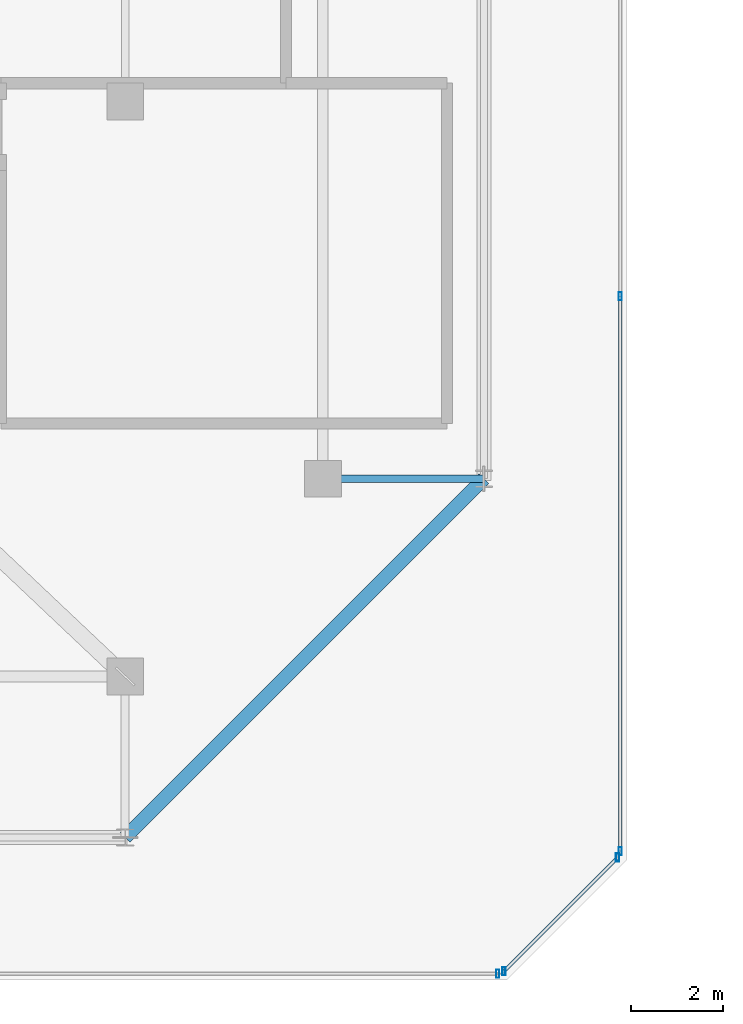
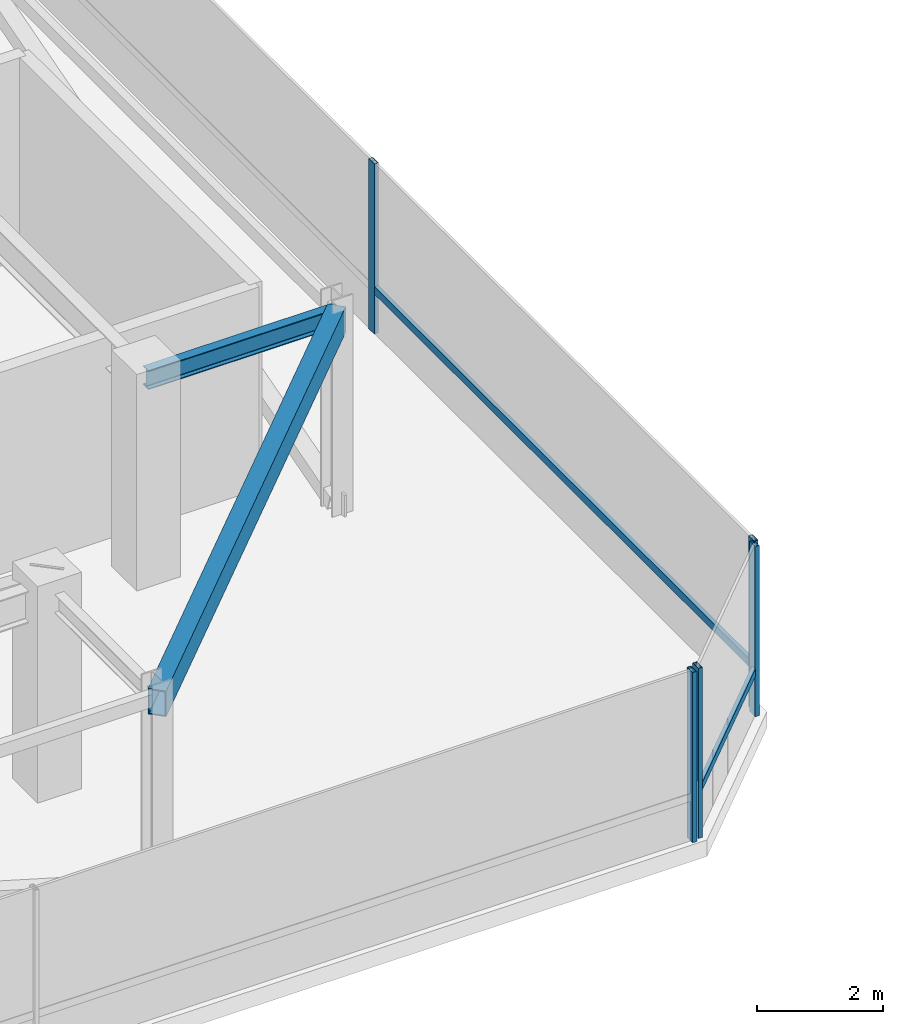
# One storey, part 14 of 47: 7 members, 2 beams, 3 elements without a shape of their own.
"""IFC4 building model written with IfcOpenShell, lengths in metres."""

from ifc_helpers import new_model, si_unit, direction, frame, origin, origin_2d, place, context, subcontext, project, spatial, hollow_rectangle, i_section, extrude, material, material_profile, profile_set, type_object, element, aggregate, save


model = new_model("IFC4")

# Units and contexts
model_context = context("Model", 3, precision=1e-05, world=origin(), true_north=direction((0.0, 1.0)))
body_context = subcontext(model_context, "Body", "Model", "MODEL_VIEW")
ifc_project = project(units=[si_unit("LENGTHUNIT", "METRE"), si_unit("AREAUNIT", "SQUARE_METRE"), si_unit("VOLUMEUNIT", "CUBIC_METRE"), si_unit("PLANEANGLEUNIT", "RADIAN"), si_unit("MASSUNIT", "GRAM", prefix="KILO")], contexts=[model_context])

# Site, building, storey
site_placement = place(None, origin())
site = spatial("IfcSite", under=ifc_project, at=site_placement, CompositionType="ELEMENT")
building_placement = place(site_placement, origin())
building = spatial("IfcBuilding", under=site, at=building_placement, Name="Thornwick Lancets Civic Towers", CompositionType="ELEMENT")
storey_placement = place(building_placement, frame((0.0, 0.0, 279.89990234375)))
storey = spatial("IfcBuildingStorey", under=building, at=storey_placement, Name="C01", CompositionType="ELEMENT", Elevation=279.89990234375)

# Beams
ifc_material_1 = material(Name="Steel S355JR", Category="steel")
ifc_material_profile_1 = material_profile(ifc_material_1, i_section(OverallWidth=0.173095703125, OverallDepth=0.36328125, WebThickness=0.009033203125, FlangeThickness=0.015625, FilletRadius=0.01025390625, at=origin_2d()), Name="UKB 356x171x67")
ifc_profile_set_1 = profile_set([ifc_material_profile_1], Name="Steel S355JR")
beam_type_1 = type_object("IfcBeamType", Name="BM_JOIST_356_67", PredefinedType="JOIST", material=ifc_profile_set_1)
beam_1_placement = place(storey_placement, frame((42.800048828125, 14.0, 3.75830078125), z_axis=(1.0, 0.0, 0.0), x_axis=(0.0, 1.0, 0.0)))
element("IfcBeam", 1, at=beam_1_placement, inside=storey, type_object=beam_type_1, Name="BM-RAD-C01-A04", PredefinedType="JOIST", context=body_context, shape_type="SweptSolid", body=[
    extrude(i_section(OverallWidth=0.173095703125, OverallDepth=0.36328125, WebThickness=0.009033203125, FlangeThickness=0.015625, FilletRadius=0.01025390625, at=origin_2d()), origin(), (0.0, 0.0, 1.0), 3.5),
])
ifc_material_2 = material(Name="Steel S460M", Category="steel")
ifc_material_profile_2 = material_profile(ifc_material_2, hollow_rectangle(XDim=0.300048828125, YDim=0.5, WallThickness=0.02001953125, at=origin_2d()), Name="RHS 500x300x20")
ifc_profile_set_2 = profile_set([ifc_material_profile_2], Name="Steel S460M")
beam_type_2 = type_object("IfcBeamType", Name="BM_RING_RHS500", PredefinedType="BEAM", material=ifc_profile_set_2)
beam_2_placement = place(storey_placement, frame((38.5, 6.199951171875, 3.690185546875), z_axis=(0.707106781187, 0.707106781187, 0.0), x_axis=(-0.707106781187, 0.707106781187, 0.0)))
element("IfcBeam", 2, at=beam_2_placement, inside=storey, type_object=beam_type_2, Name="BM-CHAMF-C01-A-C0", PredefinedType="BEAM", context=body_context, shape_type="SweptSolid", body=[
    extrude(hollow_rectangle(XDim=0.300048828125, YDim=0.5, WallThickness=0.02001953125, at=origin_2d()), origin(), (0.0, 0.0, 1.0), 11.031005859375),
])

# Curtain wall, member
ifc_material_3 = material(Name="Crown ring acoustic-louvre and glazing screen wall", Category="glass")
curtain_wall_type = type_object("IfcCurtainWallType", Name="CW_SYS_07", PredefinedType="NOTDEFINED", material=ifc_material_3)
curtain_wall_1_placement = place(storey_placement, origin())
curtain_wall_1 = element("IfcCurtainWall", 3, at=curtain_wall_1_placement, inside=storey, type_object=curtain_wall_type, Name="C01 Curtain Wall CW-C01-A-E0", PredefinedType="NOTDEFINED")
ifc_material_4 = material(Name="Thermally broken bronze aluminium S355", Category="steel")
ifc_material_profile_3 = material_profile(ifc_material_4, hollow_rectangle(XDim=0.074951171875, YDim=0.179931640625, WallThickness=0.006103515625, at=origin_2d()), Name="RHS 180x75x6")
ifc_profile_set_3 = profile_set([ifc_material_profile_3], Name="Thermally broken bronze aluminium S355")
member_type_1 = type_object("IfcMemberType", Name="CW_MUL_180", PredefinedType="MULLION", material=ifc_profile_set_3)
member_1_placement = place(storey_placement, frame((46.601318359375, 3.2353515625, 0.0), z_axis=(0.0, 0.0, 1.0), x_axis=(1.0, 0.0, 0.0)))
member_1 = element("IfcMember", 4, at=member_1_placement, type_object=member_type_1, Name="CW-C01-A-E0 Mullion 3", PredefinedType="MULLION", context=body_context, shape_type="SweptSolid", body=[
    extrude(hollow_rectangle(XDim=0.074951171875, YDim=0.179931640625, WallThickness=0.006103515625, at=origin_2d()), origin(), (0.0, 0.0, 1.0), 3.300048828125),
])
aggregate(curtain_wall_1, [member_1])

# Curtain wall, members
curtain_wall_2_placement = place(storey_placement, origin())
curtain_wall_2 = element("IfcCurtainWall", 5, at=curtain_wall_2_placement, inside=storey, type_object=curtain_wall_type, Name="C01 Curtain Wall CW-C01-A-E1", PredefinedType="NOTDEFINED")
member_2_placement = place(storey_placement, frame((46.738037109375, 3.2919921875, 0.0), z_axis=(0.0, 0.0, 1.0), x_axis=(1.0, 0.0, 0.0)))
member_2 = element("IfcMember", 6, at=member_2_placement, type_object=member_type_1, Name="CW-C01-A-E1 Mullion 0", PredefinedType="MULLION", context=body_context, shape_type="SweptSolid", body=[
    extrude(hollow_rectangle(XDim=0.074951171875, YDim=0.179931640625, WallThickness=0.006103515625, at=origin_2d()), origin(), (0.0, 0.0, 1.0), 3.300048828125),
])
member_3_placement = place(storey_placement, frame((49.2080078125, 5.761962890625, 0.0), z_axis=(0.0, 0.0, 1.0), x_axis=(1.0, 0.0, 0.0)))
member_3 = element("IfcMember", 7, at=member_3_placement, type_object=member_type_1, Name="CW-C01-A-E1 Mullion 1", PredefinedType="MULLION", context=body_context, shape_type="SweptSolid", body=[
    extrude(hollow_rectangle(XDim=0.074951171875, YDim=0.179931640625, WallThickness=0.006103515625, at=origin_2d()), origin(), (0.0, 0.0, 1.0), 3.300048828125),
])

curtain_wall_3_placement = place(storey_placement, origin())
curtain_wall_3 = element("IfcCurtainWall", 8, at=curtain_wall_3_placement, inside=storey, type_object=curtain_wall_type, Name="C01 Curtain Wall CW-C01-A-E2", PredefinedType="NOTDEFINED")
member_4_placement = place(storey_placement, frame((49.2646484375, 5.898681640625, 0.0), z_axis=(0.0, 0.0, 1.0), x_axis=(1.0, 0.0, 0.0)))
member_4 = element("IfcMember", 9, at=member_4_placement, type_object=member_type_1, Name="CW-C01-A-E2 Mullion 0", PredefinedType="MULLION", context=body_context, shape_type="SweptSolid", body=[
    extrude(hollow_rectangle(XDim=0.074951171875, YDim=0.179931640625, WallThickness=0.006103515625, at=origin_2d()), origin(), (0.0, 0.0, 1.0), 3.300048828125),
])
member_5_placement = place(storey_placement, frame((49.2646484375, 17.96630859375, 0.0), z_axis=(0.0, 0.0, 1.0), x_axis=(1.0, 0.0, 0.0)))
member_5 = element("IfcMember", 10, at=member_5_placement, type_object=member_type_1, Name="CW-C01-A-E2 Mullion 1", PredefinedType="MULLION", context=body_context, shape_type="SweptSolid", body=[
    extrude(hollow_rectangle(XDim=0.074951171875, YDim=0.179931640625, WallThickness=0.006103515625, at=origin_2d()), origin(), (0.0, 0.0, 1.0), 3.300048828125),
])

# Member
ifc_material_profile_4 = material_profile(ifc_material_4, hollow_rectangle(XDim=0.074951171875, YDim=0.14990234375, WallThickness=0.0048828125, at=origin_2d()), Name="RHS 150x75x5")
ifc_profile_set_4 = profile_set([ifc_material_profile_4], Name="Thermally broken bronze aluminium S355")
member_type_2 = type_object("IfcMemberType", Name="CW_TRN_150", PredefinedType="USERDEFINED", material=ifc_profile_set_4)
member_6_placement = place(storey_placement, frame((46.752197265625, 3.30615234375, 0.85009765625), z_axis=(0.707106781187, 0.707106781187, 0.0), x_axis=(-0.707106781187, 0.707106781187, 0.0)))
member_6 = element("IfcMember", 11, at=member_6_placement, type_object=member_type_2, Name="CW-C01-A-E1 Transom 0", ObjectType="TRANSOM", PredefinedType="USERDEFINED", context=body_context, shape_type="SweptSolid", body=[
    extrude(hollow_rectangle(XDim=0.074951171875, YDim=0.14990234375, WallThickness=0.0048828125, at=origin_2d()), origin(), (0.0, 0.0, 1.0), 3.453125),
])

aggregate(curtain_wall_2, [member_2, member_3, member_6])

member_7_placement = place(storey_placement, frame((49.2646484375, 5.918701171875, 0.85009765625), z_axis=(0.0, 1.0, 0.0), x_axis=(-1.0, 0.0, 0.0)))
member_7 = element("IfcMember", 12, at=member_7_placement, type_object=member_type_2, Name="CW-C01-A-E2 Transom 0", ObjectType="TRANSOM", PredefinedType="USERDEFINED", context=body_context, shape_type="SweptSolid", body=[
    extrude(hollow_rectangle(XDim=0.074951171875, YDim=0.14990234375, WallThickness=0.0048828125, at=origin_2d()), origin(), (0.0, 0.0, 1.0), 12.027587890625),
])

aggregate(curtain_wall_3, [member_4, member_5, member_7])

save(model, "model.ifc")
